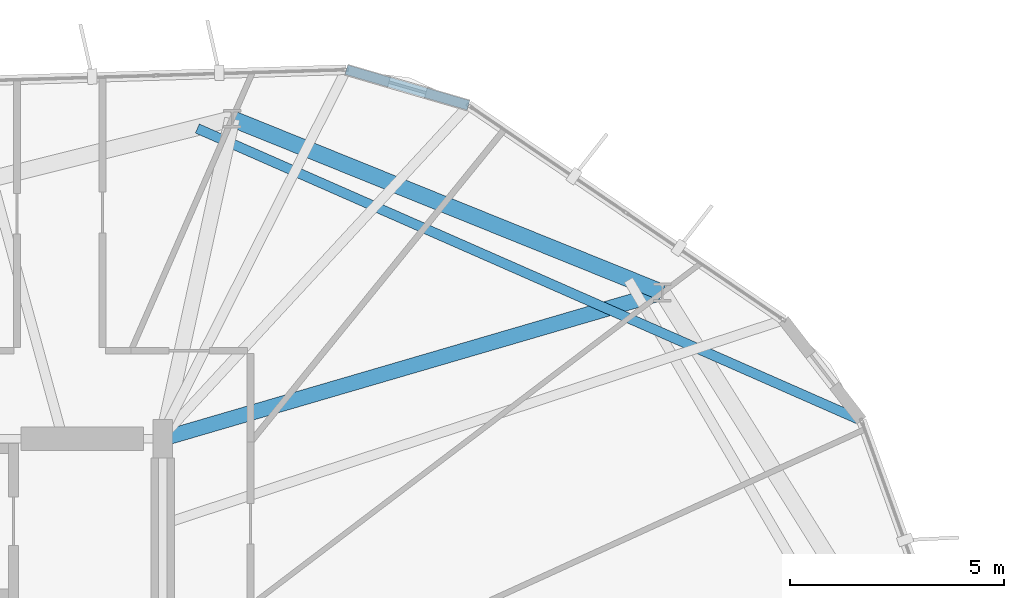
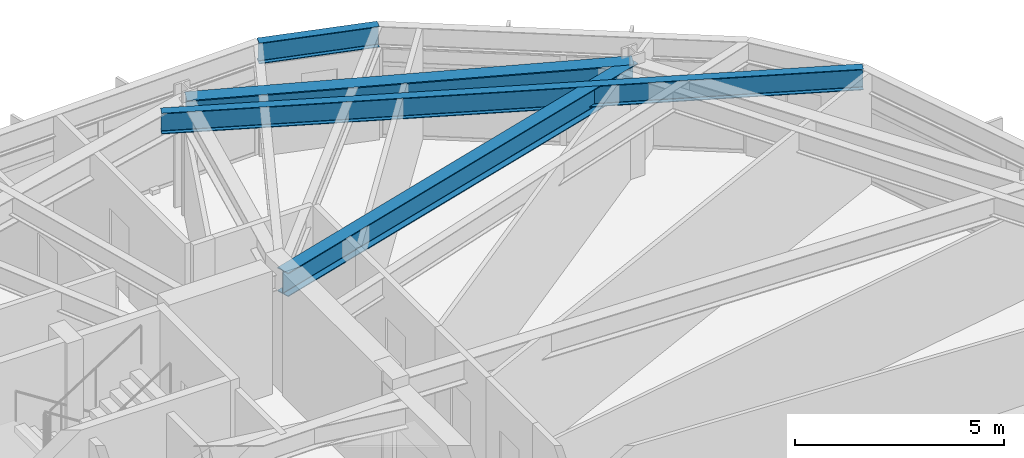
# One storey, part 15 of 23: 4 beams.
"""IFC4 building model written with IfcOpenShell, lengths in metres."""

from ifc_helpers import new_model, si_unit, direction, frame, origin, origin_2d, place, context, subcontext, project, spatial, i_section, extrude, material, material_profile, profile_set, type_object, element, save


model = new_model("IFC4")

# Units and contexts
model_context = context("Model", 3, precision=1e-05, world=origin(), true_north=direction((0.0, 1.0)))
body_context = subcontext(model_context, "Body", "Model", "MODEL_VIEW")
ifc_project = project(units=[si_unit("LENGTHUNIT", "METRE"), si_unit("AREAUNIT", "SQUARE_METRE"), si_unit("VOLUMEUNIT", "CUBIC_METRE"), si_unit("PLANEANGLEUNIT", "RADIAN"), si_unit("MASSUNIT", "GRAM", prefix="KILO")], contexts=[model_context])

# Site, building, storey
site_placement = place(None, origin())
site = spatial("IfcSite", under=ifc_project, at=site_placement, CompositionType="ELEMENT")
building_placement = place(site_placement, origin())
building = spatial("IfcBuilding", under=site, at=building_placement, Name="Soratama Intermodal Tower", CompositionType="ELEMENT")
storey_placement = place(building_placement, frame((0.0, 0.0, 171.39990234375)))
storey = spatial("IfcBuildingStorey", under=building, at=storey_placement, Name="L42", CompositionType="ELEMENT", Elevation=171.39990234375)

# Beams
ifc_material_1 = material(Name="Structural steel ASTM A992 Grade 50", Category="steel")
ifc_material_profile_1 = material_profile(ifc_material_1, i_section(OverallWidth=0.35498046875, OverallDepth=0.695068359375, WebThickness=0.015380859375, FlangeThickness=0.02490234375, FilletRadius=0.01611328125, at=origin_2d()), Name="W27X146")
ifc_profile_set_1 = profile_set([ifc_material_profile_1], Name="Structural steel ASTM A992 Grade 50")
beam_type_1 = type_object("IfcBeamType", Name="BM-RING-W27X146", PredefinedType="BEAM", material=ifc_profile_set_1)
beam_1_placement = place(storey_placement, frame((44.60009765625, 35.0, 2.95263671875), z_axis=(0.959813691047, 0.280637984738, 0.0), x_axis=(-0.280637984738, 0.959813691047, 0.0)))
element("IfcBeam", 1, at=beam_1_placement, inside=storey, type_object=beam_type_1, Name="BM-L42-RAD-02", PredefinedType="BEAM", context=body_context, shape_type="SweptSolid", body=[
    extrude(i_section(OverallWidth=0.35498046875, OverallDepth=0.695068359375, WebThickness=0.015380859375, FlangeThickness=0.02490234375, FilletRadius=0.01611328125, at=origin_2d()), origin(), (0.0, 0.0, 1.0), 12.13671875),
])
ifc_material_2 = material(Name="Structural steel ASTM A992 Grade 50", Category="steel")
ifc_material_profile_2 = material_profile(ifc_material_2, i_section(OverallWidth=0.382080078125, OverallDepth=0.779052734375, WebThickness=0.01806640625, FlangeThickness=0.030029296875, FilletRadius=0.01806640625, at=origin_2d()), Name="W30X191")
ifc_profile_set_2 = profile_set([ifc_material_profile_2], Name="Structural steel ASTM A992 Grade 50")
beam_type_2 = type_object("IfcBeamType", Name="BM-RING-W30X191", PredefinedType="BEAM", material=ifc_profile_set_2)
beam_2_placement = place(storey_placement, frame((56.2490234375, 38.406005859375, 2.91064453125), z_axis=(-0.927202491827, 0.374560461275, 0.0), x_axis=(-0.374560461275, -0.927202491827, 0.0)))
element("IfcBeam", 2, at=beam_2_placement, inside=storey, type_object=beam_type_2, Name="BM-L42-RING-02", PredefinedType="BEAM", context=body_context, shape_type="SweptSolid", body=[
    extrude(i_section(OverallWidth=0.382080078125, OverallDepth=0.779052734375, WebThickness=0.01806640625, FlangeThickness=0.030029296875, FilletRadius=0.01806640625, at=origin_2d()), origin(), (0.0, 0.0, 1.0), 10.8154296875),
])
ifc_material_3 = material(Name="Structural steel ASTM A992 Grade 50", Category="steel")
ifc_material_profile_3 = material_profile(ifc_material_3, i_section(OverallWidth=0.22900390625, OverallDepth=0.612060546875, WebThickness=0.011962890625, FlangeThickness=0.01953125, FilletRadius=0.012939453125, at=origin_2d()), Name="W24X84")
ifc_profile_set_3 = profile_set([ifc_material_profile_3], Name="Structural steel ASTM A992 Grade 50")
beam_type_3 = type_object("IfcBeamType", Name="BM-SPN-W24X84", PredefinedType="SPANDREL", material=ifc_profile_set_3)
beam_3_placement = place(storey_placement, frame((51.72802734375, 42.77099609375, 2.994140625), z_axis=(-0.959968658821, 0.280107433107, 0.0), x_axis=(-0.280107433107, -0.959968658821, 0.0)))
element("IfcBeam", 3, at=beam_3_placement, inside=storey, type_object=beam_type_3, Name="BS-L42-CRN01", PredefinedType="SPANDREL", context=body_context, shape_type="SweptSolid", body=[
    extrude(i_section(OverallWidth=0.22900390625, OverallDepth=0.612060546875, WebThickness=0.011962890625, FlangeThickness=0.01953125, FilletRadius=0.012939453125, at=origin_2d()), origin(), (0.0, 0.0, 1.0), 2.966796875),
])
ifc_material_4 = material(Name="Structural steel ASTM A992 Grade 50", Category="steel")
ifc_material_profile_4 = material_profile(ifc_material_4, i_section(OverallWidth=0.22900390625, OverallDepth=0.612060546875, WebThickness=0.011962890625, FlangeThickness=0.01953125, FilletRadius=0.012939453125, at=origin_2d()), Name="W24X84")
ifc_profile_set_4 = profile_set([ifc_material_profile_4], Name="Structural steel ASTM A992 Grade 50")
beam_type_4 = type_object("IfcBeamType", Name="BM-TIE-W24X84", PredefinedType="BEAM", material=ifc_profile_set_4)
beam_4_placement = place(storey_placement, frame((45.407958984375, 42.22998046875, 2.994140625), z_axis=(0.915396966745, -0.402552348489, 0.0), x_axis=(0.402552348489, 0.915396966745, 0.0)))
element("IfcBeam", 4, at=beam_4_placement, inside=storey, type_object=beam_type_4, Name="BM-L42-TIE1-10", PredefinedType="BEAM", context=body_context, shape_type="SweptSolid", body=[
    extrude(i_section(OverallWidth=0.22900390625, OverallDepth=0.612060546875, WebThickness=0.011962890625, FlangeThickness=0.01953125, FilletRadius=0.012939453125, at=origin_2d()), origin(), (0.0, 0.0, 1.0), 16.91162109375),
])

save(model, "model.ifc")
